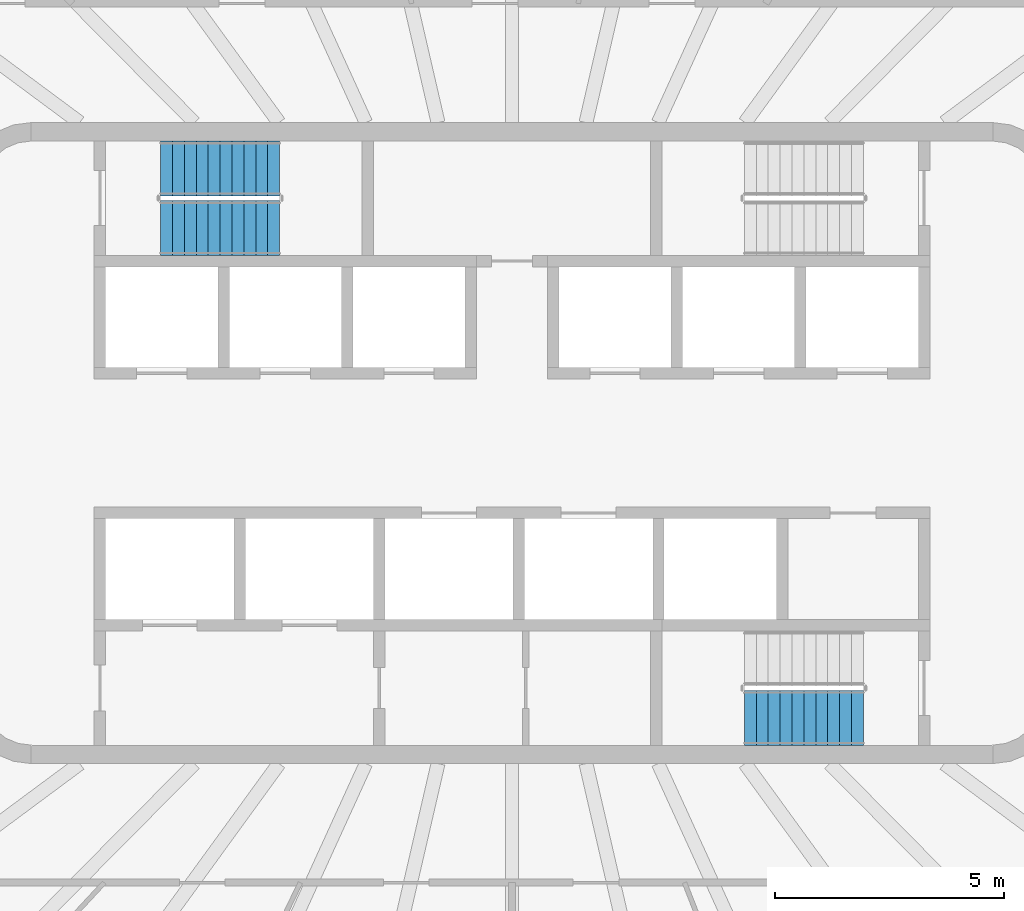
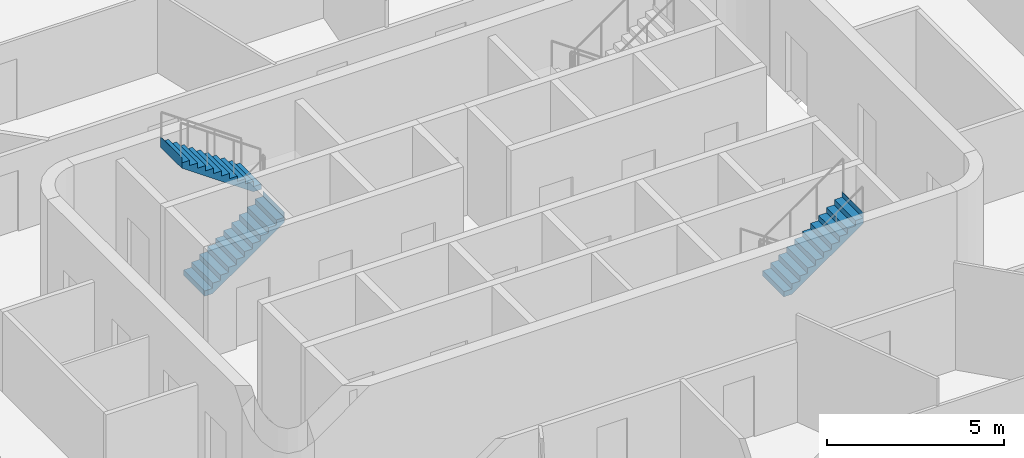
# One storey, part 14 of 20: 3 stair flights, 2 elements without a shape of their own.
"""IFC4 building model written with IfcOpenShell, lengths in metres."""

from ifc_helpers import new_model, si_unit, direction, frame, origin, place, context, subcontext, project, spatial, triangles, material, type_object, element, aggregate, save


model = new_model("IFC4")

# Units and contexts
model_context = context("Model", 3, precision=1e-05, world=origin(), true_north=direction((0.0, 1.0)))
body_context = subcontext(model_context, "Body", "Model", "MODEL_VIEW")
ifc_project = project(units=[si_unit("LENGTHUNIT", "METRE"), si_unit("AREAUNIT", "SQUARE_METRE"), si_unit("VOLUMEUNIT", "CUBIC_METRE"), si_unit("PLANEANGLEUNIT", "RADIAN"), si_unit("MASSUNIT", "GRAM", prefix="KILO")], contexts=[model_context])

# Site, building, storey
site_placement = place(None, origin())
site = spatial("IfcSite", under=ifc_project, at=site_placement, CompositionType="ELEMENT")
building_placement = place(site_placement, origin())
building = spatial("IfcBuilding", under=site, at=building_placement, Name="Sahrelin Media Tower", CompositionType="ELEMENT")
storey_placement = place(building_placement, frame((0.0, 0.0, 245.60009765625)))
storey = spatial("IfcBuildingStorey", under=building, at=storey_placement, Name="L53", CompositionType="ELEMENT", Elevation=245.60009765625)

# Stair, stair flights
ifc_material = material(Name="Concrete C40/50", Category="concrete")
stair_type = type_object("IfcStairType", Name="Exit stair 1200", PredefinedType="HALF_TURN_STAIR", material=ifc_material)
placement = place(storey_placement, origin())
stair_1 = element("IfcStair", 1, at=placement, inside=storey, type_object=stair_type, Name="L53 Exit stair ST1", PredefinedType="HALF_TURN_STAIR")
stair_flight_type = type_object("IfcStairFlightType", Name="Stair flight 1200", PredefinedType="STRAIGHT", material=ifc_material)
stair_flight_1_placement = place(storey_placement, frame((-7.675048828125, 4.699951171875, 0.0), z_axis=(0.0, 0.0, 1.0), x_axis=(1.0, 0.0, 0.0)))
stair_flight_1 = element("IfcStairFlight", 2, at=stair_flight_1_placement, type_object=stair_flight_type, Name="ST1 flight 1", NumberOfRisers=11, NumberOfTreads=10, PredefinedType="STRAIGHT", RiserHeight=0.181818182, TreadLength=0.26, context=body_context, shape_type="Tessellation", body=[
    triangles([(0.261474609375, 0.60009765625, 0.0), (0.261474609375, 0.300048828125, 0.0), (0.261474609375, 0.0, 0.0), (0.261474609375, -0.300048828125, 0.0), (0.261474609375, -0.60009765625, 0.0), (2.60009765625, 0.60009765625, 1.63525390625), (2.60009765625, 0.300048828125, 1.63525390625), (2.60009765625, 0.0, 1.63525390625), (2.60009765625, -0.300048828125, 1.63525390625), (2.60009765625, -0.60009765625, 1.63525390625), (2.60009765625, 0.60009765625, 2.0), (2.60009765625, 0.300048828125, 2.0), (2.60009765625, 0.0, 2.0), (2.60009765625, -0.300048828125, 2.0), (2.60009765625, -0.60009765625, 2.0), (2.597900390625, 0.60009765625, 2.0), (2.597900390625, 0.300048828125, 2.0), (2.597900390625, 0.0, 2.0), (2.597900390625, -0.300048828125, 2.0), (2.597900390625, -0.60009765625, 2.0), (2.597900390625, 0.60009765625, 1.818115234375), (2.597900390625, 0.300048828125, 1.818115234375), (2.597900390625, 0.0, 1.818115234375), (2.597900390625, -0.300048828125, 1.818115234375), (2.597900390625, -0.60009765625, 1.818115234375), (2.340087890625, 0.60009765625, 1.818115234375), (2.340087890625, 0.300048828125, 1.818115234375), (2.340087890625, 0.0, 1.818115234375), (2.340087890625, -0.300048828125, 1.818115234375), (2.340087890625, -0.60009765625, 1.818115234375), (2.340087890625, 0.60009765625, 1.636474609375), (2.340087890625, 0.300048828125, 1.636474609375), (2.340087890625, 0.0, 1.636474609375), (2.340087890625, -0.300048828125, 1.636474609375), (2.340087890625, -0.60009765625, 1.636474609375), (2.080078125, 0.60009765625, 1.636474609375), (2.080078125, 0.300048828125, 1.636474609375), (2.080078125, 0.0, 1.636474609375), (2.080078125, -0.300048828125, 1.636474609375), (2.080078125, -0.60009765625, 1.636474609375), (2.080078125, 0.60009765625, 1.45458984375), (2.080078125, 0.300048828125, 1.45458984375), (2.080078125, 0.0, 1.45458984375), (2.080078125, -0.300048828125, 1.45458984375), (2.080078125, -0.60009765625, 1.45458984375), (1.820068359375, 0.60009765625, 1.45458984375), (1.820068359375, 0.300048828125, 1.45458984375), (1.820068359375, 0.0, 1.45458984375), (1.820068359375, -0.300048828125, 1.45458984375), (1.820068359375, -0.60009765625, 1.45458984375), (1.820068359375, 0.60009765625, 1.272705078125), (1.820068359375, 0.300048828125, 1.272705078125), (1.820068359375, 0.0, 1.272705078125), (1.820068359375, -0.300048828125, 1.272705078125), (1.820068359375, -0.60009765625, 1.272705078125), (1.56005859375, 0.60009765625, 1.272705078125), (1.56005859375, 0.300048828125, 1.272705078125), (1.56005859375, 0.0, 1.272705078125), (1.56005859375, -0.300048828125, 1.272705078125), (1.56005859375, -0.60009765625, 1.272705078125), (1.56005859375, 0.60009765625, 1.0908203125), (1.56005859375, 0.300048828125, 1.0908203125), (1.56005859375, 0.0, 1.0908203125), (1.56005859375, -0.300048828125, 1.0908203125), (1.56005859375, -0.60009765625, 1.0908203125), (1.300048828125, 0.60009765625, 1.0908203125), (1.300048828125, 0.300048828125, 1.0908203125), (1.300048828125, 0.0, 1.0908203125), (1.300048828125, -0.300048828125, 1.0908203125), (1.300048828125, -0.60009765625, 1.0908203125), (1.300048828125, 0.60009765625, 0.9091796875), (1.300048828125, 0.300048828125, 0.9091796875), (1.300048828125, 0.0, 0.9091796875), (1.300048828125, -0.300048828125, 0.9091796875), (1.300048828125, -0.60009765625, 0.9091796875), (1.0400390625, 0.60009765625, 0.9091796875), (1.0400390625, 0.300048828125, 0.9091796875), (1.0400390625, 0.0, 0.9091796875), (1.0400390625, -0.300048828125, 0.9091796875), (1.0400390625, -0.60009765625, 0.9091796875), (1.0400390625, 0.60009765625, 0.727294921875), (1.0400390625, 0.300048828125, 0.727294921875), (1.0400390625, 0.0, 0.727294921875), (1.0400390625, -0.300048828125, 0.727294921875), (1.0400390625, -0.60009765625, 0.727294921875), (0.780029296875, 0.60009765625, 0.727294921875), (0.780029296875, 0.300048828125, 0.727294921875), (0.780029296875, 0.0, 0.727294921875), (0.780029296875, -0.300048828125, 0.727294921875), (0.780029296875, -0.60009765625, 0.727294921875), (0.780029296875, 0.60009765625, 0.54541015625), (0.780029296875, 0.300048828125, 0.54541015625), (0.780029296875, 0.0, 0.54541015625), (0.780029296875, -0.300048828125, 0.54541015625), (0.780029296875, -0.60009765625, 0.54541015625), (0.52001953125, 0.60009765625, 0.54541015625), (0.52001953125, 0.300048828125, 0.54541015625), (0.52001953125, 0.0, 0.54541015625), (0.52001953125, -0.300048828125, 0.54541015625), (0.52001953125, -0.60009765625, 0.54541015625), (0.52001953125, 0.60009765625, 0.363525390625), (0.52001953125, 0.300048828125, 0.363525390625), (0.52001953125, 0.0, 0.363525390625), (0.52001953125, -0.300048828125, 0.363525390625), (0.52001953125, -0.60009765625, 0.363525390625), (0.260009765625, 0.60009765625, 0.363525390625), (0.260009765625, 0.300048828125, 0.363525390625), (0.260009765625, 0.0, 0.363525390625), (0.260009765625, -0.300048828125, 0.363525390625), (0.260009765625, -0.60009765625, 0.363525390625), (0.260009765625, 0.60009765625, 0.181884765625), (0.260009765625, 0.300048828125, 0.181884765625), (0.260009765625, 0.0, 0.181884765625), (0.260009765625, -0.300048828125, 0.181884765625), (0.260009765625, -0.60009765625, 0.181884765625), (0.0, 0.60009765625, 0.181884765625), (0.0, 0.300048828125, 0.181884765625), (0.0, 0.0, 0.181884765625), (0.0, -0.300048828125, 0.181884765625), (0.0, -0.60009765625, 0.181884765625), (0.0, 0.60009765625, 0.0), (0.0, 0.300048828125, 0.0), (0.0, 0.0, 0.0), (0.0, -0.300048828125, 0.0), (0.0, -0.60009765625, 0.0)], [[1, 6, 7], [1, 7, 2], [2, 7, 8], [2, 8, 3], [3, 8, 9], [3, 9, 4], [4, 9, 10], [4, 10, 5], [6, 11, 12], [6, 12, 7], [7, 12, 13], [7, 13, 8], [8, 13, 14], [8, 14, 9], [9, 14, 15], [9, 15, 10], [11, 16, 17], [11, 17, 12], [12, 17, 18], [12, 18, 13], [13, 18, 19], [13, 19, 14], [14, 19, 20], [14, 20, 15], [16, 21, 22], [16, 22, 17], [17, 22, 23], [17, 23, 18], [18, 23, 24], [18, 24, 19], [19, 24, 25], [19, 25, 20], [21, 26, 27], [21, 27, 22], [22, 27, 28], [22, 28, 23], [23, 28, 29], [23, 29, 24], [24, 29, 30], [24, 30, 25], [26, 31, 32], [26, 32, 27], [27, 32, 33], [27, 33, 28], [28, 33, 34], [28, 34, 29], [29, 34, 35], [29, 35, 30], [31, 36, 37], [31, 37, 32], [32, 37, 38], [32, 38, 33], [33, 38, 39], [33, 39, 34], [34, 39, 40], [34, 40, 35], [36, 41, 42], [36, 42, 37], [37, 42, 43], [37, 43, 38], [38, 43, 44], [38, 44, 39], [39, 44, 45], [39, 45, 40], [41, 46, 47], [41, 47, 42], [42, 47, 48], [42, 48, 43], [43, 48, 49], [43, 49, 44], [44, 49, 50], [44, 50, 45], [46, 51, 52], [46, 52, 47], [47, 52, 53], [47, 53, 48], [48, 53, 54], [48, 54, 49], [49, 54, 55], [49, 55, 50], [51, 56, 57], [51, 57, 52], [52, 57, 58], [52, 58, 53], [53, 58, 59], [53, 59, 54], [54, 59, 60], [54, 60, 55], [56, 61, 62], [56, 62, 57], [57, 62, 63], [57, 63, 58], [58, 63, 64], [58, 64, 59], [59, 64, 65], [59, 65, 60], [61, 66, 67], [61, 67, 62], [62, 67, 68], [62, 68, 63], [63, 68, 69], [63, 69, 64], [64, 69, 70], [64, 70, 65], [66, 71, 72], [66, 72, 67], [67, 72, 73], [67, 73, 68], [68, 73, 74], [68, 74, 69], [69, 74, 75], [69, 75, 70], [71, 76, 77], [71, 77, 72], [72, 77, 78], [72, 78, 73], [73, 78, 79], [73, 79, 74], [74, 79, 80], [74, 80, 75], [76, 81, 82], [76, 82, 77], [77, 82, 83], [77, 83, 78], [78, 83, 84], [78, 84, 79], [79, 84, 85], [79, 85, 80], [81, 86, 87], [81, 87, 82], [82, 87, 88], [82, 88, 83], [83, 88, 89], [83, 89, 84], [84, 89, 90], [84, 90, 85], [86, 91, 92], [86, 92, 87], [87, 92, 93], [87, 93, 88], [88, 93, 94], [88, 94, 89], [89, 94, 95], [89, 95, 90], [91, 96, 97], [91, 97, 92], [92, 97, 98], [92, 98, 93], [93, 98, 99], [93, 99, 94], [94, 99, 100], [94, 100, 95], [96, 101, 102], [96, 102, 97], [97, 102, 103], [97, 103, 98], [98, 103, 104], [98, 104, 99], [99, 104, 105], [99, 105, 100], [101, 106, 107], [101, 107, 102], [102, 107, 108], [102, 108, 103], [103, 108, 109], [103, 109, 104], [104, 109, 110], [104, 110, 105], [106, 111, 112], [106, 112, 107], [107, 112, 113], [107, 113, 108], [108, 113, 114], [108, 114, 109], [109, 114, 115], [109, 115, 110], [111, 116, 117], [111, 117, 112], [112, 117, 118], [112, 118, 113], [113, 118, 119], [113, 119, 114], [114, 119, 120], [114, 120, 115], [116, 121, 122], [116, 122, 117], [117, 122, 123], [117, 123, 118], [118, 123, 124], [118, 124, 119], [119, 124, 125], [119, 125, 120], [121, 1, 2], [121, 2, 122], [122, 2, 3], [122, 3, 123], [123, 3, 4], [123, 4, 124], [124, 4, 5], [124, 5, 125], [115, 120, 125], [111, 121, 116], [115, 105, 110], [111, 106, 101], [105, 95, 100], [101, 96, 91], [95, 85, 90], [91, 86, 81], [85, 75, 80], [81, 76, 71], [75, 65, 70], [71, 66, 61], [65, 55, 60], [61, 56, 51], [55, 45, 50], [51, 46, 41], [45, 35, 40], [41, 36, 31], [35, 25, 30], [31, 26, 21], [25, 15, 20], [21, 16, 11], [125, 5, 115], [121, 111, 1], [25, 10, 15], [21, 11, 6], [105, 115, 5], [101, 1, 111], [35, 10, 25], [31, 21, 6], [95, 105, 5], [91, 1, 101], [45, 10, 35], [41, 31, 6], [85, 95, 5], [81, 1, 91], [55, 10, 45], [51, 41, 6], [75, 85, 5], [71, 1, 81], [65, 10, 55], [61, 51, 6], [5, 10, 75], [1, 71, 6], [75, 10, 65], [71, 61, 6]], closed=True),
])
stair_flight_2_placement = place(storey_placement, frame((-5.074951171875, 6.0, 2.0), z_axis=(0.0, 0.0, 1.0), x_axis=(-1.0, 0.0, 0.0)))
stair_flight_2 = element("IfcStairFlight", 3, at=stair_flight_2_placement, type_object=stair_flight_type, Name="ST1 flight 2", NumberOfRisers=11, NumberOfTreads=10, PredefinedType="STRAIGHT", RiserHeight=0.181818182, TreadLength=0.26, context=body_context, shape_type="Tessellation", body=[
    triangles([(0.261474609375, 0.60009765625, 0.0), (0.261474609375, 0.300048828125, 0.0), (0.261474609375, 0.0, 0.0), (0.261474609375, -0.300048828125, 0.0), (0.261474609375, -0.60009765625, 0.0), (2.60009765625, 0.60009765625, 1.63525390625), (2.60009765625, 0.300048828125, 1.63525390625), (2.60009765625, 0.0, 1.63525390625), (2.60009765625, -0.300048828125, 1.63525390625), (2.60009765625, -0.60009765625, 1.63525390625), (2.60009765625, 0.60009765625, 2.0), (2.60009765625, 0.300048828125, 2.0), (2.60009765625, 0.0, 2.0), (2.60009765625, -0.300048828125, 2.0), (2.60009765625, -0.60009765625, 2.0), (2.597900390625, 0.60009765625, 2.0), (2.597900390625, 0.300048828125, 2.0), (2.597900390625, 0.0, 2.0), (2.597900390625, -0.300048828125, 2.0), (2.597900390625, -0.60009765625, 2.0), (2.597900390625, 0.60009765625, 1.818115234375), (2.597900390625, 0.300048828125, 1.818115234375), (2.597900390625, 0.0, 1.818115234375), (2.597900390625, -0.300048828125, 1.818115234375), (2.597900390625, -0.60009765625, 1.818115234375), (2.340087890625, 0.60009765625, 1.818115234375), (2.340087890625, 0.300048828125, 1.818115234375), (2.340087890625, 0.0, 1.818115234375), (2.340087890625, -0.300048828125, 1.818115234375), (2.340087890625, -0.60009765625, 1.818115234375), (2.340087890625, 0.60009765625, 1.636474609375), (2.340087890625, 0.300048828125, 1.636474609375), (2.340087890625, 0.0, 1.636474609375), (2.340087890625, -0.300048828125, 1.636474609375), (2.340087890625, -0.60009765625, 1.636474609375), (2.080078125, 0.60009765625, 1.636474609375), (2.080078125, 0.300048828125, 1.636474609375), (2.080078125, 0.0, 1.636474609375), (2.080078125, -0.300048828125, 1.636474609375), (2.080078125, -0.60009765625, 1.636474609375), (2.080078125, 0.60009765625, 1.45458984375), (2.080078125, 0.300048828125, 1.45458984375), (2.080078125, 0.0, 1.45458984375), (2.080078125, -0.300048828125, 1.45458984375), (2.080078125, -0.60009765625, 1.45458984375), (1.820068359375, 0.60009765625, 1.45458984375), (1.820068359375, 0.300048828125, 1.45458984375), (1.820068359375, 0.0, 1.45458984375), (1.820068359375, -0.300048828125, 1.45458984375), (1.820068359375, -0.60009765625, 1.45458984375), (1.820068359375, 0.60009765625, 1.272705078125), (1.820068359375, 0.300048828125, 1.272705078125), (1.820068359375, 0.0, 1.272705078125), (1.820068359375, -0.300048828125, 1.272705078125), (1.820068359375, -0.60009765625, 1.272705078125), (1.56005859375, 0.60009765625, 1.272705078125), (1.56005859375, 0.300048828125, 1.272705078125), (1.56005859375, 0.0, 1.272705078125), (1.56005859375, -0.300048828125, 1.272705078125), (1.56005859375, -0.60009765625, 1.272705078125), (1.56005859375, 0.60009765625, 1.0908203125), (1.56005859375, 0.300048828125, 1.0908203125), (1.56005859375, 0.0, 1.0908203125), (1.56005859375, -0.300048828125, 1.0908203125), (1.56005859375, -0.60009765625, 1.0908203125), (1.300048828125, 0.60009765625, 1.0908203125), (1.300048828125, 0.300048828125, 1.0908203125), (1.300048828125, 0.0, 1.0908203125), (1.300048828125, -0.300048828125, 1.0908203125), (1.300048828125, -0.60009765625, 1.0908203125), (1.300048828125, 0.60009765625, 0.9091796875), (1.300048828125, 0.300048828125, 0.9091796875), (1.300048828125, 0.0, 0.9091796875), (1.300048828125, -0.300048828125, 0.9091796875), (1.300048828125, -0.60009765625, 0.9091796875), (1.0400390625, 0.60009765625, 0.9091796875), (1.0400390625, 0.300048828125, 0.9091796875), (1.0400390625, 0.0, 0.9091796875), (1.0400390625, -0.300048828125, 0.9091796875), (1.0400390625, -0.60009765625, 0.9091796875), (1.0400390625, 0.60009765625, 0.727294921875), (1.0400390625, 0.300048828125, 0.727294921875), (1.0400390625, 0.0, 0.727294921875), (1.0400390625, -0.300048828125, 0.727294921875), (1.0400390625, -0.60009765625, 0.727294921875), (0.780029296875, 0.60009765625, 0.727294921875), (0.780029296875, 0.300048828125, 0.727294921875), (0.780029296875, 0.0, 0.727294921875), (0.780029296875, -0.300048828125, 0.727294921875), (0.780029296875, -0.60009765625, 0.727294921875), (0.780029296875, 0.60009765625, 0.54541015625), (0.780029296875, 0.300048828125, 0.54541015625), (0.780029296875, 0.0, 0.54541015625), (0.780029296875, -0.300048828125, 0.54541015625), (0.780029296875, -0.60009765625, 0.54541015625), (0.52001953125, 0.60009765625, 0.54541015625), (0.52001953125, 0.300048828125, 0.54541015625), (0.52001953125, 0.0, 0.54541015625), (0.52001953125, -0.300048828125, 0.54541015625), (0.52001953125, -0.60009765625, 0.54541015625), (0.52001953125, 0.60009765625, 0.363525390625), (0.52001953125, 0.300048828125, 0.363525390625), (0.52001953125, 0.0, 0.363525390625), (0.52001953125, -0.300048828125, 0.363525390625), (0.52001953125, -0.60009765625, 0.363525390625), (0.260009765625, 0.60009765625, 0.363525390625), (0.260009765625, 0.300048828125, 0.363525390625), (0.260009765625, 0.0, 0.363525390625), (0.260009765625, -0.300048828125, 0.363525390625), (0.260009765625, -0.60009765625, 0.363525390625), (0.260009765625, 0.60009765625, 0.181884765625), (0.260009765625, 0.300048828125, 0.181884765625), (0.260009765625, 0.0, 0.181884765625), (0.260009765625, -0.300048828125, 0.181884765625), (0.260009765625, -0.60009765625, 0.181884765625), (0.0, 0.60009765625, 0.181884765625), (0.0, 0.300048828125, 0.181884765625), (0.0, 0.0, 0.181884765625), (0.0, -0.300048828125, 0.181884765625), (0.0, -0.60009765625, 0.181884765625), (0.0, 0.60009765625, 0.0), (0.0, 0.300048828125, 0.0), (0.0, 0.0, 0.0), (0.0, -0.300048828125, 0.0), (0.0, -0.60009765625, 0.0)], [[1, 6, 7], [1, 7, 2], [2, 7, 8], [2, 8, 3], [3, 8, 9], [3, 9, 4], [4, 9, 10], [4, 10, 5], [6, 11, 12], [6, 12, 7], [7, 12, 13], [7, 13, 8], [8, 13, 14], [8, 14, 9], [9, 14, 15], [9, 15, 10], [11, 16, 17], [11, 17, 12], [12, 17, 18], [12, 18, 13], [13, 18, 19], [13, 19, 14], [14, 19, 20], [14, 20, 15], [16, 21, 22], [16, 22, 17], [17, 22, 23], [17, 23, 18], [18, 23, 24], [18, 24, 19], [19, 24, 25], [19, 25, 20], [21, 26, 27], [21, 27, 22], [22, 27, 28], [22, 28, 23], [23, 28, 29], [23, 29, 24], [24, 29, 30], [24, 30, 25], [26, 31, 32], [26, 32, 27], [27, 32, 33], [27, 33, 28], [28, 33, 34], [28, 34, 29], [29, 34, 35], [29, 35, 30], [31, 36, 37], [31, 37, 32], [32, 37, 38], [32, 38, 33], [33, 38, 39], [33, 39, 34], [34, 39, 40], [34, 40, 35], [36, 41, 42], [36, 42, 37], [37, 42, 43], [37, 43, 38], [38, 43, 44], [38, 44, 39], [39, 44, 45], [39, 45, 40], [41, 46, 47], [41, 47, 42], [42, 47, 48], [42, 48, 43], [43, 48, 49], [43, 49, 44], [44, 49, 50], [44, 50, 45], [46, 51, 52], [46, 52, 47], [47, 52, 53], [47, 53, 48], [48, 53, 54], [48, 54, 49], [49, 54, 55], [49, 55, 50], [51, 56, 57], [51, 57, 52], [52, 57, 58], [52, 58, 53], [53, 58, 59], [53, 59, 54], [54, 59, 60], [54, 60, 55], [56, 61, 62], [56, 62, 57], [57, 62, 63], [57, 63, 58], [58, 63, 64], [58, 64, 59], [59, 64, 65], [59, 65, 60], [61, 66, 67], [61, 67, 62], [62, 67, 68], [62, 68, 63], [63, 68, 69], [63, 69, 64], [64, 69, 70], [64, 70, 65], [66, 71, 72], [66, 72, 67], [67, 72, 73], [67, 73, 68], [68, 73, 74], [68, 74, 69], [69, 74, 75], [69, 75, 70], [71, 76, 77], [71, 77, 72], [72, 77, 78], [72, 78, 73], [73, 78, 79], [73, 79, 74], [74, 79, 80], [74, 80, 75], [76, 81, 82], [76, 82, 77], [77, 82, 83], [77, 83, 78], [78, 83, 84], [78, 84, 79], [79, 84, 85], [79, 85, 80], [81, 86, 87], [81, 87, 82], [82, 87, 88], [82, 88, 83], [83, 88, 89], [83, 89, 84], [84, 89, 90], [84, 90, 85], [86, 91, 92], [86, 92, 87], [87, 92, 93], [87, 93, 88], [88, 93, 94], [88, 94, 89], [89, 94, 95], [89, 95, 90], [91, 96, 97], [91, 97, 92], [92, 97, 98], [92, 98, 93], [93, 98, 99], [93, 99, 94], [94, 99, 100], [94, 100, 95], [96, 101, 102], [96, 102, 97], [97, 102, 103], [97, 103, 98], [98, 103, 104], [98, 104, 99], [99, 104, 105], [99, 105, 100], [101, 106, 107], [101, 107, 102], [102, 107, 108], [102, 108, 103], [103, 108, 109], [103, 109, 104], [104, 109, 110], [104, 110, 105], [106, 111, 112], [106, 112, 107], [107, 112, 113], [107, 113, 108], [108, 113, 114], [108, 114, 109], [109, 114, 115], [109, 115, 110], [111, 116, 117], [111, 117, 112], [112, 117, 118], [112, 118, 113], [113, 118, 119], [113, 119, 114], [114, 119, 120], [114, 120, 115], [116, 121, 122], [116, 122, 117], [117, 122, 123], [117, 123, 118], [118, 123, 124], [118, 124, 119], [119, 124, 125], [119, 125, 120], [121, 1, 2], [121, 2, 122], [122, 2, 3], [122, 3, 123], [123, 3, 4], [123, 4, 124], [124, 4, 5], [124, 5, 125], [115, 120, 125], [111, 121, 116], [115, 105, 110], [111, 106, 101], [105, 95, 100], [101, 96, 91], [95, 85, 90], [91, 86, 81], [85, 75, 80], [81, 76, 71], [75, 65, 70], [71, 66, 61], [65, 55, 60], [61, 56, 51], [55, 45, 50], [51, 46, 41], [45, 35, 40], [41, 36, 31], [35, 25, 30], [31, 26, 21], [25, 15, 20], [21, 16, 11], [125, 5, 115], [121, 111, 1], [25, 10, 15], [21, 11, 6], [105, 115, 5], [101, 1, 111], [35, 10, 25], [31, 21, 6], [95, 105, 5], [91, 1, 101], [45, 10, 35], [41, 31, 6], [85, 95, 5], [81, 1, 91], [55, 10, 45], [51, 41, 6], [75, 85, 5], [71, 1, 81], [65, 10, 55], [61, 51, 6], [5, 10, 75], [1, 71, 6], [75, 10, 65], [71, 61, 6]], closed=True),
])
aggregate(stair_1, [stair_flight_1, stair_flight_2])

# Stair, stair flight
stair_2 = element("IfcStair", 4, at=placement, inside=storey, type_object=stair_type, Name="L53 Exit stair ST2", PredefinedType="HALF_TURN_STAIR")
stair_flight_3_placement = place(storey_placement, frame((5.074951171875, -6.0, 2.0), z_axis=(0.0, 0.0, 1.0), x_axis=(1.0, 0.0, 0.0)))
stair_flight_3 = element("IfcStairFlight", 5, at=stair_flight_3_placement, type_object=stair_flight_type, Name="ST2 flight 2", NumberOfRisers=11, NumberOfTreads=10, PredefinedType="STRAIGHT", RiserHeight=0.181818182, TreadLength=0.26, context=body_context, shape_type="Tessellation", body=[
    triangles([(0.261474609375, 0.60009765625, 0.0), (0.261474609375, 0.300048828125, 0.0), (0.261474609375, 0.0, 0.0), (0.261474609375, -0.300048828125, 0.0), (0.261474609375, -0.60009765625, 0.0), (2.60009765625, 0.60009765625, 1.63525390625), (2.60009765625, 0.300048828125, 1.63525390625), (2.60009765625, 0.0, 1.63525390625), (2.60009765625, -0.300048828125, 1.63525390625), (2.60009765625, -0.60009765625, 1.63525390625), (2.60009765625, 0.60009765625, 2.0), (2.60009765625, 0.300048828125, 2.0), (2.60009765625, 0.0, 2.0), (2.60009765625, -0.300048828125, 2.0), (2.60009765625, -0.60009765625, 2.0), (2.597900390625, 0.60009765625, 2.0), (2.597900390625, 0.300048828125, 2.0), (2.597900390625, 0.0, 2.0), (2.597900390625, -0.300048828125, 2.0), (2.597900390625, -0.60009765625, 2.0), (2.597900390625, 0.60009765625, 1.818115234375), (2.597900390625, 0.300048828125, 1.818115234375), (2.597900390625, 0.0, 1.818115234375), (2.597900390625, -0.300048828125, 1.818115234375), (2.597900390625, -0.60009765625, 1.818115234375), (2.340087890625, 0.60009765625, 1.818115234375), (2.340087890625, 0.300048828125, 1.818115234375), (2.340087890625, 0.0, 1.818115234375), (2.340087890625, -0.300048828125, 1.818115234375), (2.340087890625, -0.60009765625, 1.818115234375), (2.340087890625, 0.60009765625, 1.636474609375), (2.340087890625, 0.300048828125, 1.636474609375), (2.340087890625, 0.0, 1.636474609375), (2.340087890625, -0.300048828125, 1.636474609375), (2.340087890625, -0.60009765625, 1.636474609375), (2.080078125, 0.60009765625, 1.636474609375), (2.080078125, 0.300048828125, 1.636474609375), (2.080078125, 0.0, 1.636474609375), (2.080078125, -0.300048828125, 1.636474609375), (2.080078125, -0.60009765625, 1.636474609375), (2.080078125, 0.60009765625, 1.45458984375), (2.080078125, 0.300048828125, 1.45458984375), (2.080078125, 0.0, 1.45458984375), (2.080078125, -0.300048828125, 1.45458984375), (2.080078125, -0.60009765625, 1.45458984375), (1.820068359375, 0.60009765625, 1.45458984375), (1.820068359375, 0.300048828125, 1.45458984375), (1.820068359375, 0.0, 1.45458984375), (1.820068359375, -0.300048828125, 1.45458984375), (1.820068359375, -0.60009765625, 1.45458984375), (1.820068359375, 0.60009765625, 1.272705078125), (1.820068359375, 0.300048828125, 1.272705078125), (1.820068359375, 0.0, 1.272705078125), (1.820068359375, -0.300048828125, 1.272705078125), (1.820068359375, -0.60009765625, 1.272705078125), (1.56005859375, 0.60009765625, 1.272705078125), (1.56005859375, 0.300048828125, 1.272705078125), (1.56005859375, 0.0, 1.272705078125), (1.56005859375, -0.300048828125, 1.272705078125), (1.56005859375, -0.60009765625, 1.272705078125), (1.56005859375, 0.60009765625, 1.0908203125), (1.56005859375, 0.300048828125, 1.0908203125), (1.56005859375, 0.0, 1.0908203125), (1.56005859375, -0.300048828125, 1.0908203125), (1.56005859375, -0.60009765625, 1.0908203125), (1.300048828125, 0.60009765625, 1.0908203125), (1.300048828125, 0.300048828125, 1.0908203125), (1.300048828125, 0.0, 1.0908203125), (1.300048828125, -0.300048828125, 1.0908203125), (1.300048828125, -0.60009765625, 1.0908203125), (1.300048828125, 0.60009765625, 0.9091796875), (1.300048828125, 0.300048828125, 0.9091796875), (1.300048828125, 0.0, 0.9091796875), (1.300048828125, -0.300048828125, 0.9091796875), (1.300048828125, -0.60009765625, 0.9091796875), (1.0400390625, 0.60009765625, 0.9091796875), (1.0400390625, 0.300048828125, 0.9091796875), (1.0400390625, 0.0, 0.9091796875), (1.0400390625, -0.300048828125, 0.9091796875), (1.0400390625, -0.60009765625, 0.9091796875), (1.0400390625, 0.60009765625, 0.727294921875), (1.0400390625, 0.300048828125, 0.727294921875), (1.0400390625, 0.0, 0.727294921875), (1.0400390625, -0.300048828125, 0.727294921875), (1.0400390625, -0.60009765625, 0.727294921875), (0.780029296875, 0.60009765625, 0.727294921875), (0.780029296875, 0.300048828125, 0.727294921875), (0.780029296875, 0.0, 0.727294921875), (0.780029296875, -0.300048828125, 0.727294921875), (0.780029296875, -0.60009765625, 0.727294921875), (0.780029296875, 0.60009765625, 0.54541015625), (0.780029296875, 0.300048828125, 0.54541015625), (0.780029296875, 0.0, 0.54541015625), (0.780029296875, -0.300048828125, 0.54541015625), (0.780029296875, -0.60009765625, 0.54541015625), (0.52001953125, 0.60009765625, 0.54541015625), (0.52001953125, 0.300048828125, 0.54541015625), (0.52001953125, 0.0, 0.54541015625), (0.52001953125, -0.300048828125, 0.54541015625), (0.52001953125, -0.60009765625, 0.54541015625), (0.52001953125, 0.60009765625, 0.363525390625), (0.52001953125, 0.300048828125, 0.363525390625), (0.52001953125, 0.0, 0.363525390625), (0.52001953125, -0.300048828125, 0.363525390625), (0.52001953125, -0.60009765625, 0.363525390625), (0.260009765625, 0.60009765625, 0.363525390625), (0.260009765625, 0.300048828125, 0.363525390625), (0.260009765625, 0.0, 0.363525390625), (0.260009765625, -0.300048828125, 0.363525390625), (0.260009765625, -0.60009765625, 0.363525390625), (0.260009765625, 0.60009765625, 0.181884765625), (0.260009765625, 0.300048828125, 0.181884765625), (0.260009765625, 0.0, 0.181884765625), (0.260009765625, -0.300048828125, 0.181884765625), (0.260009765625, -0.60009765625, 0.181884765625), (0.0, 0.60009765625, 0.181884765625), (0.0, 0.300048828125, 0.181884765625), (0.0, 0.0, 0.181884765625), (0.0, -0.300048828125, 0.181884765625), (0.0, -0.60009765625, 0.181884765625), (0.0, 0.60009765625, 0.0), (0.0, 0.300048828125, 0.0), (0.0, 0.0, 0.0), (0.0, -0.300048828125, 0.0), (0.0, -0.60009765625, 0.0)], [[1, 6, 7], [1, 7, 2], [2, 7, 8], [2, 8, 3], [3, 8, 9], [3, 9, 4], [4, 9, 10], [4, 10, 5], [6, 11, 12], [6, 12, 7], [7, 12, 13], [7, 13, 8], [8, 13, 14], [8, 14, 9], [9, 14, 15], [9, 15, 10], [11, 16, 17], [11, 17, 12], [12, 17, 18], [12, 18, 13], [13, 18, 19], [13, 19, 14], [14, 19, 20], [14, 20, 15], [16, 21, 22], [16, 22, 17], [17, 22, 23], [17, 23, 18], [18, 23, 24], [18, 24, 19], [19, 24, 25], [19, 25, 20], [21, 26, 27], [21, 27, 22], [22, 27, 28], [22, 28, 23], [23, 28, 29], [23, 29, 24], [24, 29, 30], [24, 30, 25], [26, 31, 32], [26, 32, 27], [27, 32, 33], [27, 33, 28], [28, 33, 34], [28, 34, 29], [29, 34, 35], [29, 35, 30], [31, 36, 37], [31, 37, 32], [32, 37, 38], [32, 38, 33], [33, 38, 39], [33, 39, 34], [34, 39, 40], [34, 40, 35], [36, 41, 42], [36, 42, 37], [37, 42, 43], [37, 43, 38], [38, 43, 44], [38, 44, 39], [39, 44, 45], [39, 45, 40], [41, 46, 47], [41, 47, 42], [42, 47, 48], [42, 48, 43], [43, 48, 49], [43, 49, 44], [44, 49, 50], [44, 50, 45], [46, 51, 52], [46, 52, 47], [47, 52, 53], [47, 53, 48], [48, 53, 54], [48, 54, 49], [49, 54, 55], [49, 55, 50], [51, 56, 57], [51, 57, 52], [52, 57, 58], [52, 58, 53], [53, 58, 59], [53, 59, 54], [54, 59, 60], [54, 60, 55], [56, 61, 62], [56, 62, 57], [57, 62, 63], [57, 63, 58], [58, 63, 64], [58, 64, 59], [59, 64, 65], [59, 65, 60], [61, 66, 67], [61, 67, 62], [62, 67, 68], [62, 68, 63], [63, 68, 69], [63, 69, 64], [64, 69, 70], [64, 70, 65], [66, 71, 72], [66, 72, 67], [67, 72, 73], [67, 73, 68], [68, 73, 74], [68, 74, 69], [69, 74, 75], [69, 75, 70], [71, 76, 77], [71, 77, 72], [72, 77, 78], [72, 78, 73], [73, 78, 79], [73, 79, 74], [74, 79, 80], [74, 80, 75], [76, 81, 82], [76, 82, 77], [77, 82, 83], [77, 83, 78], [78, 83, 84], [78, 84, 79], [79, 84, 85], [79, 85, 80], [81, 86, 87], [81, 87, 82], [82, 87, 88], [82, 88, 83], [83, 88, 89], [83, 89, 84], [84, 89, 90], [84, 90, 85], [86, 91, 92], [86, 92, 87], [87, 92, 93], [87, 93, 88], [88, 93, 94], [88, 94, 89], [89, 94, 95], [89, 95, 90], [91, 96, 97], [91, 97, 92], [92, 97, 98], [92, 98, 93], [93, 98, 99], [93, 99, 94], [94, 99, 100], [94, 100, 95], [96, 101, 102], [96, 102, 97], [97, 102, 103], [97, 103, 98], [98, 103, 104], [98, 104, 99], [99, 104, 105], [99, 105, 100], [101, 106, 107], [101, 107, 102], [102, 107, 108], [102, 108, 103], [103, 108, 109], [103, 109, 104], [104, 109, 110], [104, 110, 105], [106, 111, 112], [106, 112, 107], [107, 112, 113], [107, 113, 108], [108, 113, 114], [108, 114, 109], [109, 114, 115], [109, 115, 110], [111, 116, 117], [111, 117, 112], [112, 117, 118], [112, 118, 113], [113, 118, 119], [113, 119, 114], [114, 119, 120], [114, 120, 115], [116, 121, 122], [116, 122, 117], [117, 122, 123], [117, 123, 118], [118, 123, 124], [118, 124, 119], [119, 124, 125], [119, 125, 120], [121, 1, 2], [121, 2, 122], [122, 2, 3], [122, 3, 123], [123, 3, 4], [123, 4, 124], [124, 4, 5], [124, 5, 125], [115, 120, 125], [111, 121, 116], [115, 105, 110], [111, 106, 101], [105, 95, 100], [101, 96, 91], [95, 85, 90], [91, 86, 81], [85, 75, 80], [81, 76, 71], [75, 65, 70], [71, 66, 61], [65, 55, 60], [61, 56, 51], [55, 45, 50], [51, 46, 41], [45, 35, 40], [41, 36, 31], [35, 25, 30], [31, 26, 21], [25, 15, 20], [21, 16, 11], [125, 5, 115], [121, 111, 1], [25, 10, 15], [21, 11, 6], [105, 115, 5], [101, 1, 111], [35, 10, 25], [31, 21, 6], [95, 105, 5], [91, 1, 101], [45, 10, 35], [41, 31, 6], [85, 95, 5], [81, 1, 91], [55, 10, 45], [51, 41, 6], [75, 85, 5], [71, 1, 81], [65, 10, 55], [61, 51, 6], [5, 10, 75], [1, 71, 6], [75, 10, 65], [71, 61, 6]], closed=True),
])
aggregate(stair_2, [stair_flight_3])

save(model, "model.ifc")
